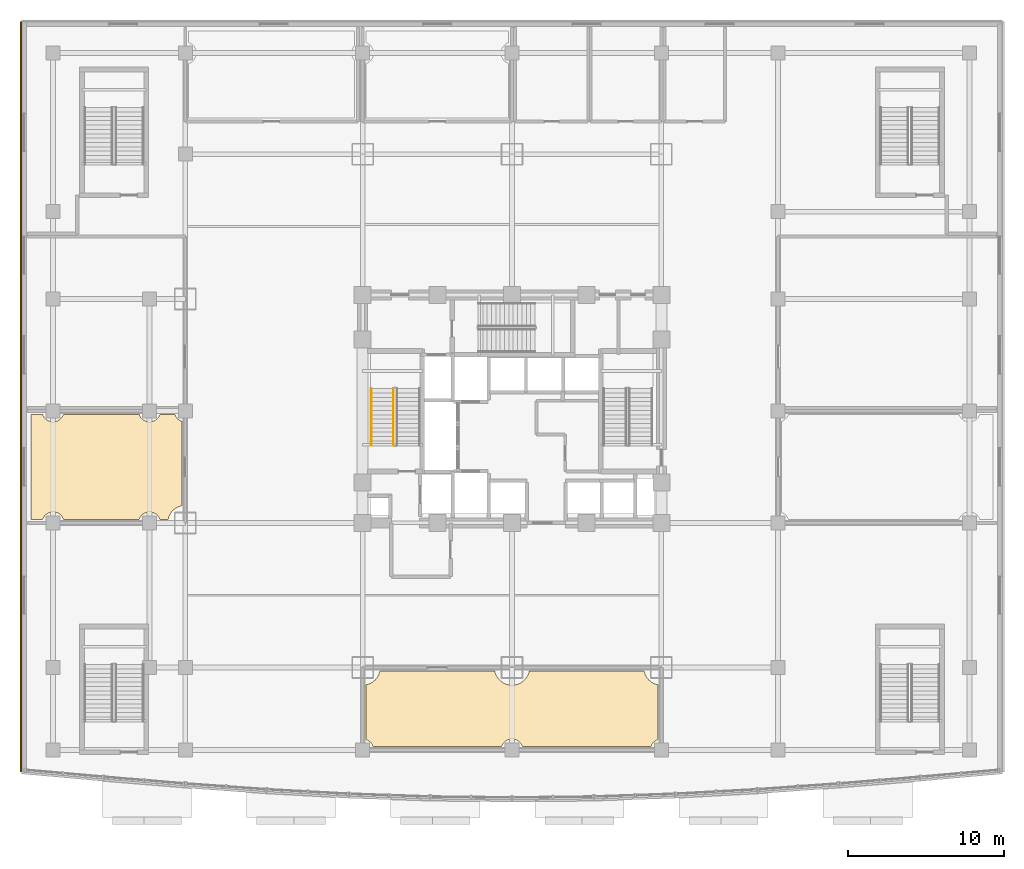
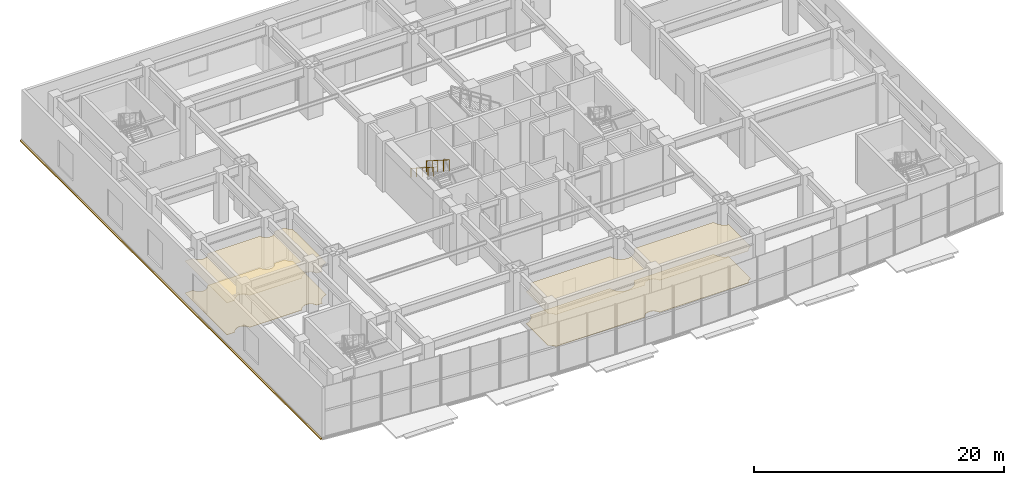
# One storey, part 17 of 24: 5 coverings, 2 railings.
"""IFC4 building model written with IfcOpenShell, lengths in metres."""

from ifc_helpers import new_model, si_unit, direction, frame, origin, origin_2d, place, context, subcontext, project, spatial, polyline, rectangle, outline, extrude, material, layer, layer_set, type_object, element, save


model = new_model("IFC4")

# Units and contexts
model_context = context("Model", 3, precision=1e-05, world=origin(), true_north=direction((0.0, 1.0)))
body_context = subcontext(model_context, "Body", "Model", "MODEL_VIEW")
ifc_project = project(units=[si_unit("LENGTHUNIT", "METRE"), si_unit("AREAUNIT", "SQUARE_METRE"), si_unit("VOLUMEUNIT", "CUBIC_METRE"), si_unit("PLANEANGLEUNIT", "RADIAN"), si_unit("MASSUNIT", "GRAM", prefix="KILO")], contexts=[model_context])

# Site, building, storey
site_placement = place(None, origin())
site = spatial("IfcSite", under=ifc_project, at=site_placement, CompositionType="ELEMENT")
building_placement = place(site_placement, origin())
building = spatial("IfcBuilding", under=site, at=building_placement, Name="Vantalir Tower", CompositionType="ELEMENT")
storey_placement = place(building_placement, frame((0.0, 0.0, 6.0)))
storey = spatial("IfcBuildingStorey", under=building, at=storey_placement, Name="L01", CompositionType="ELEMENT", Elevation=6.0)

# Coverings
ifc_material_1 = material(Name="Perforated acoustic gypsum ceiling board", Category="gypsum")
ifc_layer_1 = layer(ifc_material_1, 0.02001953125)
ifc_layer_set_1 = layer_set([ifc_layer_1], Name="Perforated acoustic gypsum ceiling board")
covering_type_1 = type_object("IfcCoveringType", Name="COV-ACOUSTIC-CEIL-20", PredefinedType="CEILING", material=ifc_layer_set_1)
covering_1_placement = place(storey_placement, frame((0.0, 0.0, 3.1298828125)))
element("IfcCovering", 1, at=covering_1_placement, inside=storey, type_object=covering_type_1, Name="Level 01 Straits Specialty Restaurant Suspended Ceiling", PredefinedType="CEILING", context=body_context, shape_type="SweptSolid", body=[
    extrude(outline(polyline([(10.280029296875, 24.3310546875), (10.22998046875, 24.34912109375), (10.16796875, 24.3779296875), (10.10791015625, 24.4140625), (10.052978515625, 24.455078125), (10.0009765625, 24.5009765625), (9.955078125, 24.552978515625), (9.9140625, 24.60791015625), (9.8779296875, 24.66796875), (9.84912109375, 24.72998046875), (9.8310546875, 24.780029296875), (8.868896484375, 24.780029296875), (8.85107421875, 24.72998046875), (8.822021484375, 24.66796875), (8.785888671875, 24.60791015625), (8.7451171875, 24.552978515625), (8.698974609375, 24.5009765625), (8.64697265625, 24.455078125), (8.592041015625, 24.4140625), (8.531982421875, 24.3779296875), (8.469970703125, 24.34912109375), (8.405029296875, 24.324951171875), (8.337890625, 24.30908203125), (8.26904296875, 24.298095703125), (8.199951171875, 24.294921875), (8.131103515625, 24.298095703125), (8.06201171875, 24.30908203125), (7.9951171875, 24.324951171875), (7.929931640625, 24.34912109375), (7.867919921875, 24.3779296875), (7.80810546875, 24.4140625), (7.7529296875, 24.455078125), (7.700927734375, 24.5009765625), (7.655029296875, 24.552978515625), (7.614013671875, 24.60791015625), (7.577880859375, 24.66796875), (7.549072265625, 24.72998046875), (7.531005859375, 24.780029296875), (2.6689453125, 24.780029296875), (2.65087890625, 24.72998046875), (2.6220703125, 24.66796875), (2.5859375, 24.60791015625), (2.544921875, 24.552978515625), (2.4990234375, 24.5009765625), (2.447021484375, 24.455078125), (2.39208984375, 24.4140625), (2.33203125, 24.3779296875), (2.27001953125, 24.34912109375), (2.205078125, 24.324951171875), (2.137939453125, 24.30908203125), (2.069091796875, 24.298095703125), (2.0, 24.294921875), (1.930908203125, 24.298095703125), (1.862060546875, 24.30908203125), (1.794921875, 24.324951171875), (1.72998046875, 24.34912109375), (1.66796875, 24.3779296875), (1.60791015625, 24.4140625), (1.552978515625, 24.455078125), (1.5009765625, 24.5009765625), (1.455078125, 24.552978515625), (1.4140625, 24.60791015625), (1.3779296875, 24.66796875), (1.34912109375, 24.72998046875), (1.3310546875, 24.780029296875), (0.570068359375, 24.780029296875), (0.570068359375, 18.02001953125), (1.3310546875, 18.02001953125), (1.34912109375, 18.070068359375), (1.3779296875, 18.132080078125), (1.4140625, 18.19189453125), (1.455078125, 18.2470703125), (1.5009765625, 18.299072265625), (1.552978515625, 18.344970703125), (1.60791015625, 18.385986328125), (1.66796875, 18.422119140625), (1.72998046875, 18.450927734375), (1.794921875, 18.47509765625), (1.862060546875, 18.490966796875), (1.930908203125, 18.501953125), (2.0, 18.5048828125), (2.069091796875, 18.501953125), (2.137939453125, 18.490966796875), (2.205078125, 18.47509765625), (2.27001953125, 18.450927734375), (2.33203125, 18.422119140625), (2.39208984375, 18.385986328125), (2.447021484375, 18.344970703125), (2.4990234375, 18.299072265625), (2.544921875, 18.2470703125), (2.5859375, 18.19189453125), (2.6220703125, 18.132080078125), (2.65087890625, 18.070068359375), (2.6689453125, 18.02001953125), (7.531005859375, 18.02001953125), (7.549072265625, 18.070068359375), (7.577880859375, 18.132080078125), (7.614013671875, 18.19189453125), (7.655029296875, 18.2470703125), (7.700927734375, 18.299072265625), (7.7529296875, 18.344970703125), (7.80810546875, 18.385986328125), (7.867919921875, 18.422119140625), (7.929931640625, 18.450927734375), (7.9951171875, 18.47509765625), (8.06201171875, 18.490966796875), (8.131103515625, 18.501953125), (8.199951171875, 18.5048828125), (8.26904296875, 18.501953125), (8.337890625, 18.490966796875), (8.405029296875, 18.47509765625), (8.469970703125, 18.450927734375), (8.531982421875, 18.422119140625), (8.592041015625, 18.385986328125), (8.64697265625, 18.344970703125), (8.698974609375, 18.299072265625), (8.7451171875, 18.2470703125), (8.785888671875, 18.19189453125), (8.822021484375, 18.132080078125), (8.85107421875, 18.070068359375), (8.868896484375, 18.02001953125), (9.39404296875, 18.02001953125), (9.4208984375, 18.126953125), (9.4580078125, 18.23193359375), (9.5048828125, 18.33203125), (9.56201171875, 18.427001953125), (9.6279296875, 18.51611328125), (9.701904296875, 18.597900390625), (9.783935546875, 18.672119140625), (9.873046875, 18.738037109375), (9.968017578125, 18.794921875), (10.068115234375, 18.842041015625), (10.173095703125, 18.87890625), (10.280029296875, 18.906005859375), (10.280029296875, 24.3310546875)])), origin(), (0.0, 0.0, 1.0), 0.02001953125),
])
covering_2_placement = place(storey_placement, frame((0.0, 0.0, 3.1298828125)))
element("IfcCovering", 2, at=covering_2_placement, inside=storey, type_object=covering_type_1, Name="Level 01 Observation Pre-Show Exhibition Gallery Suspended Ceiling", PredefinedType="CEILING", context=body_context, shape_type="SweptSolid", body=[
    extrude(outline(polyline([(40.8798828125, 7.39404296875), (40.77294921875, 7.4208984375), (40.66796875, 7.4580078125), (40.568115234375, 7.5048828125), (40.472900390625, 7.56201171875), (40.384033203125, 7.6279296875), (40.302001953125, 7.701904296875), (40.22802734375, 7.783935546875), (40.162109375, 7.873046875), (40.10498046875, 7.968017578125), (40.05810546875, 8.068115234375), (40.02099609375, 8.173095703125), (39.993896484375, 8.280029296875), (32.60595703125, 8.280029296875), (32.5791015625, 8.173095703125), (32.5419921875, 8.068115234375), (32.4951171875, 7.968017578125), (32.43798828125, 7.873046875), (32.3720703125, 7.783935546875), (32.298095703125, 7.701904296875), (32.216064453125, 7.6279296875), (32.126953125, 7.56201171875), (32.031982421875, 7.5048828125), (31.931884765625, 7.4580078125), (31.826904296875, 7.4208984375), (31.719970703125, 7.39404296875), (31.611083984375, 7.376953125), (31.5, 7.3720703125), (31.388916015625, 7.376953125), (31.280029296875, 7.39404296875), (31.173095703125, 7.4208984375), (31.068115234375, 7.4580078125), (30.968017578125, 7.5048828125), (30.873046875, 7.56201171875), (30.783935546875, 7.6279296875), (30.701904296875, 7.701904296875), (30.6279296875, 7.783935546875), (30.56201171875, 7.873046875), (30.5048828125, 7.968017578125), (30.4580078125, 8.068115234375), (30.4208984375, 8.173095703125), (30.39404296875, 8.280029296875), (23.006103515625, 8.280029296875), (22.97900390625, 8.173095703125), (22.94189453125, 8.068115234375), (22.89501953125, 7.968017578125), (22.837890625, 7.873046875), (22.77197265625, 7.783935546875), (22.697998046875, 7.701904296875), (22.615966796875, 7.6279296875), (22.527099609375, 7.56201171875), (22.431884765625, 7.5048828125), (22.33203125, 7.4580078125), (22.22705078125, 7.4208984375), (22.1201171875, 7.39404296875), (22.1201171875, 3.868896484375), (22.169921875, 3.85107421875), (22.23193359375, 3.822021484375), (22.2919921875, 3.785888671875), (22.346923828125, 3.7451171875), (22.39892578125, 3.698974609375), (22.445068359375, 3.64697265625), (22.486083984375, 3.592041015625), (22.52197265625, 3.531982421875), (22.551025390625, 3.469970703125), (22.569091796875, 3.419921875), (30.8310546875, 3.419921875), (30.84912109375, 3.469970703125), (30.8779296875, 3.531982421875), (30.9140625, 3.592041015625), (30.955078125, 3.64697265625), (31.0009765625, 3.698974609375), (31.052978515625, 3.7451171875), (31.10791015625, 3.785888671875), (31.16796875, 3.822021484375), (31.22998046875, 3.85107421875), (31.294921875, 3.875), (31.362060546875, 3.89111328125), (31.430908203125, 3.902099609375), (31.5, 3.905029296875), (31.569091796875, 3.902099609375), (31.637939453125, 3.89111328125), (31.705078125, 3.875), (31.77001953125, 3.85107421875), (31.83203125, 3.822021484375), (31.89208984375, 3.785888671875), (31.947021484375, 3.7451171875), (31.9990234375, 3.698974609375), (32.044921875, 3.64697265625), (32.0859375, 3.592041015625), (32.1220703125, 3.531982421875), (32.15087890625, 3.469970703125), (32.1689453125, 3.419921875), (40.430908203125, 3.419921875), (40.448974609375, 3.469970703125), (40.47802734375, 3.531982421875), (40.513916015625, 3.592041015625), (40.554931640625, 3.64697265625), (40.60107421875, 3.698974609375), (40.653076171875, 3.7451171875), (40.7080078125, 3.785888671875), (40.76806640625, 3.822021484375), (40.830078125, 3.85107421875), (40.8798828125, 3.868896484375), (40.8798828125, 7.39404296875)])), origin(), (0.0, 0.0, 1.0), 0.02001953125),
])
ifc_material_2 = material(Name="Anodised champagne aluminium sill fascia", Category="aluminium")
ifc_layer_2 = layer(ifc_material_2, 0.125)
ifc_layer_set_2 = layer_set([ifc_layer_2], Name="Anodised champagne aluminium sill fascia")
covering_type_2 = type_object("IfcCoveringType", Name="COV-SLAB-FASCIA-125", PredefinedType="CLADDING", material=ifc_layer_set_2)
covering_3_placement = place(storey_placement, frame((0.0, 0.0, -0.179931640625)))
element("IfcCovering", 3, at=covering_3_placement, inside=storey, type_object=covering_type_2, Name="Level 01 Podium Slab-Edge Fascia W", PredefinedType="CLADDING", context=body_context, shape_type="SweptSolid", body=[
    extrude(outline(polyline([(-0.125, 1.800048828125), (0.0, 1.800048828125), (0.0, 50.0), (-0.125, 50.0), (-0.125, 1.800048828125)])), origin(), (0.0, 0.0, 1.0), 0.10498046875),
])
ifc_material_3 = material(Name="Tropical teak timber and terrazzo floor finish", Category="wood")
ifc_layer_3 = layer(ifc_material_3, 0.02490234375)
ifc_layer_set_3 = layer_set([ifc_layer_3], Name="Tropical teak timber and terrazzo floor finish")
covering_type_3 = type_object("IfcCoveringType", Name="COV-TIMBER-STONE-25", PredefinedType="FLOORING", material=ifc_layer_set_3)
covering_4_placement = place(storey_placement, origin())
element("IfcCovering", 4, at=covering_4_placement, inside=storey, type_object=covering_type_3, Name="Level 01 Straits Specialty Restaurant Floor Finish", PredefinedType="FLOORING", context=body_context, shape_type="SweptSolid", body=[
    extrude(outline(polyline([(10.280029296875, 24.3310546875), (10.22998046875, 24.34912109375), (10.16796875, 24.3779296875), (10.10791015625, 24.4140625), (10.052978515625, 24.455078125), (10.0009765625, 24.5009765625), (9.955078125, 24.552978515625), (9.9140625, 24.60791015625), (9.8779296875, 24.66796875), (9.84912109375, 24.72998046875), (9.8310546875, 24.780029296875), (8.868896484375, 24.780029296875), (8.85107421875, 24.72998046875), (8.822021484375, 24.66796875), (8.785888671875, 24.60791015625), (8.7451171875, 24.552978515625), (8.698974609375, 24.5009765625), (8.64697265625, 24.455078125), (8.592041015625, 24.4140625), (8.531982421875, 24.3779296875), (8.469970703125, 24.34912109375), (8.405029296875, 24.324951171875), (8.337890625, 24.30908203125), (8.26904296875, 24.298095703125), (8.199951171875, 24.294921875), (8.131103515625, 24.298095703125), (8.06201171875, 24.30908203125), (7.9951171875, 24.324951171875), (7.929931640625, 24.34912109375), (7.867919921875, 24.3779296875), (7.80810546875, 24.4140625), (7.7529296875, 24.455078125), (7.700927734375, 24.5009765625), (7.655029296875, 24.552978515625), (7.614013671875, 24.60791015625), (7.577880859375, 24.66796875), (7.549072265625, 24.72998046875), (7.531005859375, 24.780029296875), (2.6689453125, 24.780029296875), (2.65087890625, 24.72998046875), (2.6220703125, 24.66796875), (2.5859375, 24.60791015625), (2.544921875, 24.552978515625), (2.4990234375, 24.5009765625), (2.447021484375, 24.455078125), (2.39208984375, 24.4140625), (2.33203125, 24.3779296875), (2.27001953125, 24.34912109375), (2.205078125, 24.324951171875), (2.137939453125, 24.30908203125), (2.069091796875, 24.298095703125), (2.0, 24.294921875), (1.930908203125, 24.298095703125), (1.862060546875, 24.30908203125), (1.794921875, 24.324951171875), (1.72998046875, 24.34912109375), (1.66796875, 24.3779296875), (1.60791015625, 24.4140625), (1.552978515625, 24.455078125), (1.5009765625, 24.5009765625), (1.455078125, 24.552978515625), (1.4140625, 24.60791015625), (1.3779296875, 24.66796875), (1.34912109375, 24.72998046875), (1.3310546875, 24.780029296875), (0.570068359375, 24.780029296875), (0.570068359375, 18.02001953125), (1.3310546875, 18.02001953125), (1.34912109375, 18.070068359375), (1.3779296875, 18.132080078125), (1.4140625, 18.19189453125), (1.455078125, 18.2470703125), (1.5009765625, 18.299072265625), (1.552978515625, 18.344970703125), (1.60791015625, 18.385986328125), (1.66796875, 18.422119140625), (1.72998046875, 18.450927734375), (1.794921875, 18.47509765625), (1.862060546875, 18.490966796875), (1.930908203125, 18.501953125), (2.0, 18.5048828125), (2.069091796875, 18.501953125), (2.137939453125, 18.490966796875), (2.205078125, 18.47509765625), (2.27001953125, 18.450927734375), (2.33203125, 18.422119140625), (2.39208984375, 18.385986328125), (2.447021484375, 18.344970703125), (2.4990234375, 18.299072265625), (2.544921875, 18.2470703125), (2.5859375, 18.19189453125), (2.6220703125, 18.132080078125), (2.65087890625, 18.070068359375), (2.6689453125, 18.02001953125), (7.531005859375, 18.02001953125), (7.549072265625, 18.070068359375), (7.577880859375, 18.132080078125), (7.614013671875, 18.19189453125), (7.655029296875, 18.2470703125), (7.700927734375, 18.299072265625), (7.7529296875, 18.344970703125), (7.80810546875, 18.385986328125), (7.867919921875, 18.422119140625), (7.929931640625, 18.450927734375), (7.9951171875, 18.47509765625), (8.06201171875, 18.490966796875), (8.131103515625, 18.501953125), (8.199951171875, 18.5048828125), (8.26904296875, 18.501953125), (8.337890625, 18.490966796875), (8.405029296875, 18.47509765625), (8.469970703125, 18.450927734375), (8.531982421875, 18.422119140625), (8.592041015625, 18.385986328125), (8.64697265625, 18.344970703125), (8.698974609375, 18.299072265625), (8.7451171875, 18.2470703125), (8.785888671875, 18.19189453125), (8.822021484375, 18.132080078125), (8.85107421875, 18.070068359375), (8.868896484375, 18.02001953125), (9.39404296875, 18.02001953125), (9.4208984375, 18.126953125), (9.4580078125, 18.23193359375), (9.5048828125, 18.33203125), (9.56201171875, 18.427001953125), (9.6279296875, 18.51611328125), (9.701904296875, 18.597900390625), (9.783935546875, 18.672119140625), (9.873046875, 18.738037109375), (9.968017578125, 18.794921875), (10.068115234375, 18.842041015625), (10.173095703125, 18.87890625), (10.280029296875, 18.906005859375), (10.280029296875, 24.3310546875)])), origin(), (0.0, 0.0, 1.0), 0.02490234375),
])
covering_5_placement = place(storey_placement, origin())
element("IfcCovering", 5, at=covering_5_placement, inside=storey, type_object=covering_type_3, Name="Level 01 Observation Pre-Show Exhibition Gallery Floor Finish", PredefinedType="FLOORING", context=body_context, shape_type="SweptSolid", body=[
    extrude(outline(polyline([(40.8798828125, 7.39404296875), (40.77294921875, 7.4208984375), (40.66796875, 7.4580078125), (40.568115234375, 7.5048828125), (40.472900390625, 7.56201171875), (40.384033203125, 7.6279296875), (40.302001953125, 7.701904296875), (40.22802734375, 7.783935546875), (40.162109375, 7.873046875), (40.10498046875, 7.968017578125), (40.05810546875, 8.068115234375), (40.02099609375, 8.173095703125), (39.993896484375, 8.280029296875), (32.60595703125, 8.280029296875), (32.5791015625, 8.173095703125), (32.5419921875, 8.068115234375), (32.4951171875, 7.968017578125), (32.43798828125, 7.873046875), (32.3720703125, 7.783935546875), (32.298095703125, 7.701904296875), (32.216064453125, 7.6279296875), (32.126953125, 7.56201171875), (32.031982421875, 7.5048828125), (31.931884765625, 7.4580078125), (31.826904296875, 7.4208984375), (31.719970703125, 7.39404296875), (31.611083984375, 7.376953125), (31.5, 7.3720703125), (31.388916015625, 7.376953125), (31.280029296875, 7.39404296875), (31.173095703125, 7.4208984375), (31.068115234375, 7.4580078125), (30.968017578125, 7.5048828125), (30.873046875, 7.56201171875), (30.783935546875, 7.6279296875), (30.701904296875, 7.701904296875), (30.6279296875, 7.783935546875), (30.56201171875, 7.873046875), (30.5048828125, 7.968017578125), (30.4580078125, 8.068115234375), (30.4208984375, 8.173095703125), (30.39404296875, 8.280029296875), (23.006103515625, 8.280029296875), (22.97900390625, 8.173095703125), (22.94189453125, 8.068115234375), (22.89501953125, 7.968017578125), (22.837890625, 7.873046875), (22.77197265625, 7.783935546875), (22.697998046875, 7.701904296875), (22.615966796875, 7.6279296875), (22.527099609375, 7.56201171875), (22.431884765625, 7.5048828125), (22.33203125, 7.4580078125), (22.22705078125, 7.4208984375), (22.1201171875, 7.39404296875), (22.1201171875, 3.868896484375), (22.169921875, 3.85107421875), (22.23193359375, 3.822021484375), (22.2919921875, 3.785888671875), (22.346923828125, 3.7451171875), (22.39892578125, 3.698974609375), (22.445068359375, 3.64697265625), (22.486083984375, 3.592041015625), (22.52197265625, 3.531982421875), (22.551025390625, 3.469970703125), (22.569091796875, 3.419921875), (30.8310546875, 3.419921875), (30.84912109375, 3.469970703125), (30.8779296875, 3.531982421875), (30.9140625, 3.592041015625), (30.955078125, 3.64697265625), (31.0009765625, 3.698974609375), (31.052978515625, 3.7451171875), (31.10791015625, 3.785888671875), (31.16796875, 3.822021484375), (31.22998046875, 3.85107421875), (31.294921875, 3.875), (31.362060546875, 3.89111328125), (31.430908203125, 3.902099609375), (31.5, 3.905029296875), (31.569091796875, 3.902099609375), (31.637939453125, 3.89111328125), (31.705078125, 3.875), (31.77001953125, 3.85107421875), (31.83203125, 3.822021484375), (31.89208984375, 3.785888671875), (31.947021484375, 3.7451171875), (31.9990234375, 3.698974609375), (32.044921875, 3.64697265625), (32.0859375, 3.592041015625), (32.1220703125, 3.531982421875), (32.15087890625, 3.469970703125), (32.1689453125, 3.419921875), (40.430908203125, 3.419921875), (40.448974609375, 3.469970703125), (40.47802734375, 3.531982421875), (40.513916015625, 3.592041015625), (40.554931640625, 3.64697265625), (40.60107421875, 3.698974609375), (40.653076171875, 3.7451171875), (40.7080078125, 3.785888671875), (40.76806640625, 3.822021484375), (40.830078125, 3.85107421875), (40.8798828125, 3.868896484375), (40.8798828125, 7.39404296875)])), origin(), (0.0, 0.0, 1.0), 0.02490234375),
])

# Railings
ifc_material_4 = material(Name="Anodised aluminium and stainless steel guard", Category="steel")
railing_type_1 = type_object("IfcRailingType", Name="RAL-GUARD-1120", PredefinedType="GUARDRAIL", material=ifc_material_4)
railing_1_placement = place(storey_placement, frame((23.889892578125, 26.429931640625, 2.678466796875)))
element("IfcRailing", 6, at=railing_1_placement, inside=storey, type_object=railing_type_1, Name="Level 01 ST1 stair guard 3", PredefinedType="GUARDRAIL", context=body_context, shape_type="SweptSolid", body=[
    extrude(rectangle(XDim=0.048095703125, YDim=0.048095703125, at=origin_2d()), frame((0.0, 0.0, 1.09619140625), z_axis=(0.0, -0.843111507901, 0.53773877045), x_axis=(1.0, 0.0, 0.0)), (0.0, 0.0, 1.0), 4.317138671875),
    extrude(rectangle(XDim=0.0419921875, YDim=0.0419921875, at=origin_2d()), origin(), (0.0, 0.0, 1.0), 1.072021484375),
    extrude(rectangle(XDim=0.0419921875, YDim=0.0419921875, at=origin_2d()), frame((0.0, -0.909912109375, 0.580322265625)), (0.0, 0.0, 1.0), 1.072021484375),
    extrude(rectangle(XDim=0.0419921875, YDim=0.0419921875, at=origin_2d()), frame((0.0, -1.81982421875, 1.16064453125)), (0.0, 0.0, 1.0), 1.072021484375),
    extrude(rectangle(XDim=0.0419921875, YDim=0.0419921875, at=origin_2d()), frame((0.0, -2.72998046875, 1.7412109375)), (0.0, 0.0, 1.0), 1.072021484375),
    extrude(rectangle(XDim=0.0419921875, YDim=0.0419921875, at=origin_2d()), frame((0.0, -3.639892578125, 2.321533203125)), (0.0, 0.0, 1.0), 1.072021484375),
])
ifc_material_5 = material(Name="Brushed stainless steel tubular handrail", Category="steel")
railing_type_2 = type_object("IfcRailingType", Name="RAL-HANDRAIL-900", PredefinedType="HANDRAIL", material=ifc_material_5)
railing_2_placement = place(storey_placement, frame((22.449951171875, 26.429931640625, 2.678466796875)))
element("IfcRailing", 7, at=railing_2_placement, inside=storey, type_object=railing_type_2, Name="Level 01 ST1 stair handrail 2", PredefinedType="HANDRAIL", context=body_context, shape_type="SweptSolid", body=[
    extrude(rectangle(XDim=0.048095703125, YDim=0.048095703125, at=origin_2d()), frame((0.0, 0.0, 0.8759765625), z_axis=(0.0, -0.843111507901, 0.53773877045), x_axis=(1.0, 0.0, 0.0)), (0.0, 0.0, 1.0), 4.317138671875),
    extrude(rectangle(XDim=0.0419921875, YDim=0.0419921875, at=origin_2d()), origin(), (0.0, 0.0, 1.0), 0.851806640625),
    extrude(rectangle(XDim=0.0419921875, YDim=0.0419921875, at=origin_2d()), frame((0.0, -0.909912109375, 0.580322265625)), (0.0, 0.0, 1.0), 0.851806640625),
    extrude(rectangle(XDim=0.0419921875, YDim=0.0419921875, at=origin_2d()), frame((0.0, -1.81982421875, 1.16064453125)), (0.0, 0.0, 1.0), 0.851806640625),
    extrude(rectangle(XDim=0.0419921875, YDim=0.0419921875, at=origin_2d()), frame((0.0, -2.72998046875, 1.7412109375)), (0.0, 0.0, 1.0), 0.851806640625),
    extrude(rectangle(XDim=0.0419921875, YDim=0.0419921875, at=origin_2d()), frame((0.0, -3.639892578125, 2.321533203125)), (0.0, 0.0, 1.0), 0.851806640625),
])

save(model, "model.ifc")
